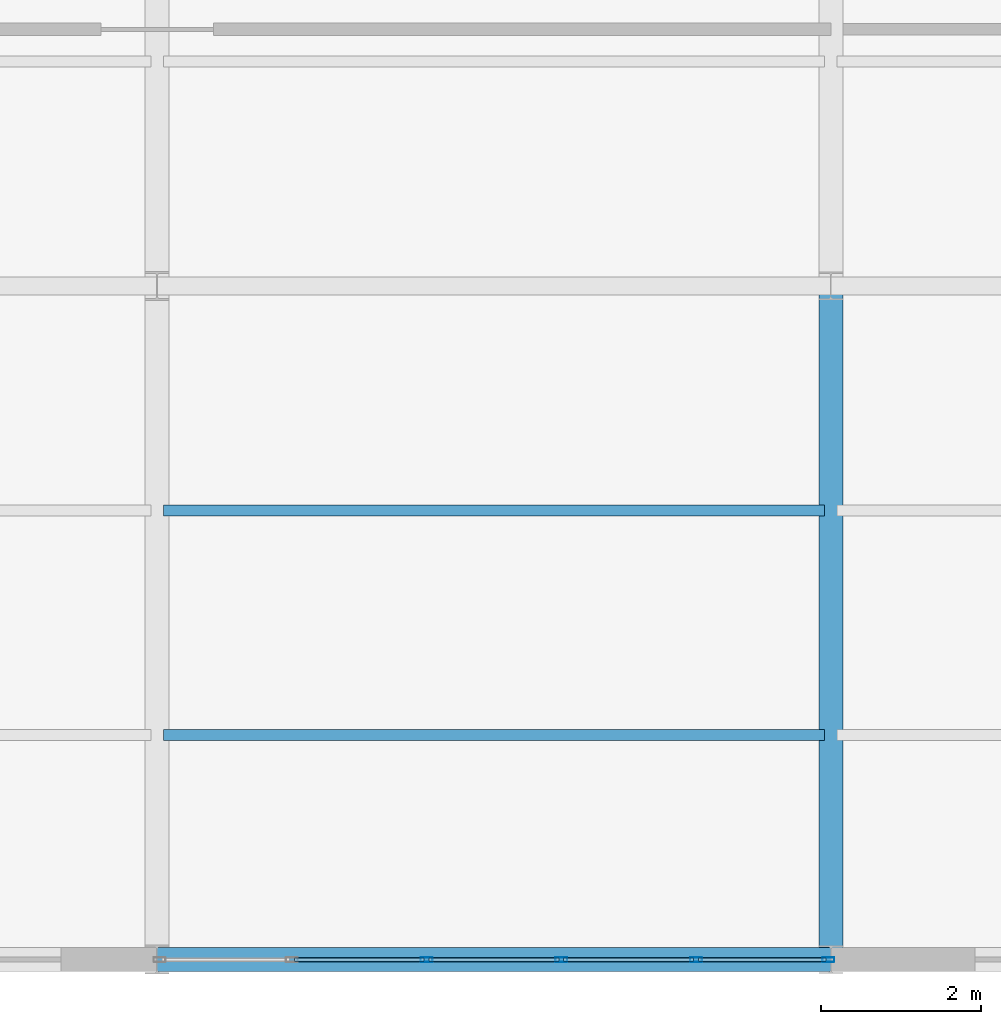
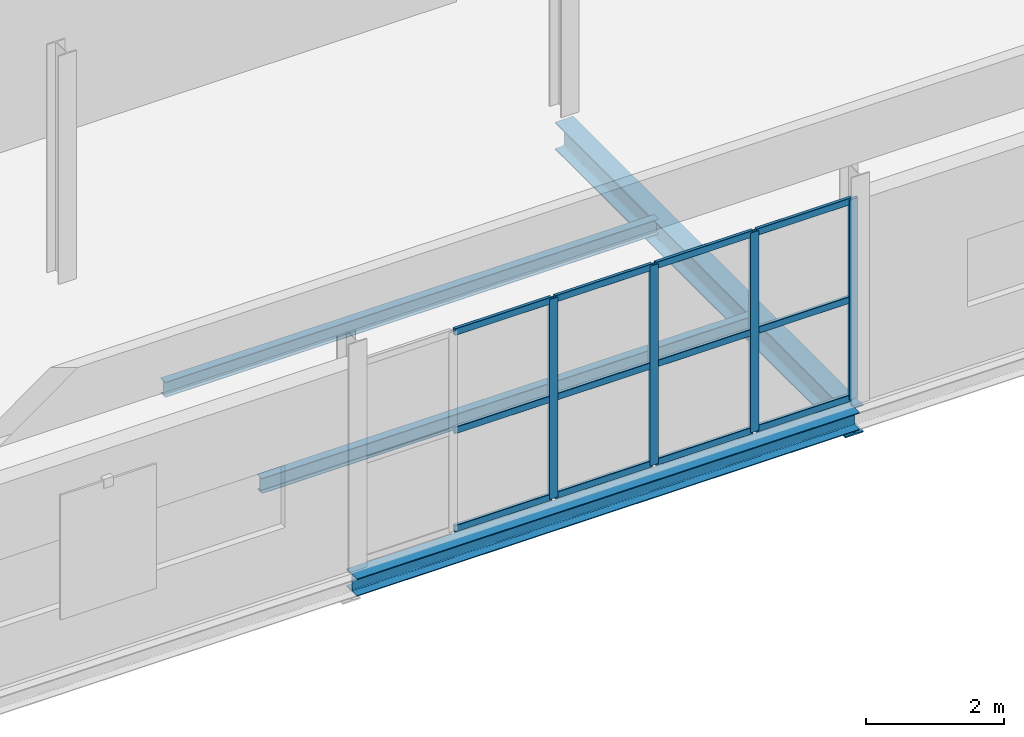
# One storey, part 86 of 184: 16 members, 4 beams, 1 element without a shape of its own.
"""IFC4 building model written with IfcOpenShell, lengths in metres."""

from ifc_helpers import new_model, si_unit, direction, frame, origin, origin_2d, place, context, subcontext, project, spatial, hollow_rectangle, i_section, extrude, material, layer, layer_set, material_profile, profile_set, type_object, element, aggregate, save


model = new_model("IFC4")

# Units and contexts
model_context = context("Model", 3, precision=1e-05, world=origin(), true_north=direction((0.0, 1.0)))
body_context = subcontext(model_context, "Body", "Model", "MODEL_VIEW")
ifc_project = project(units=[si_unit("LENGTHUNIT", "METRE"), si_unit("AREAUNIT", "SQUARE_METRE"), si_unit("VOLUMEUNIT", "CUBIC_METRE"), si_unit("PLANEANGLEUNIT", "RADIAN"), si_unit("MASSUNIT", "GRAM", prefix="KILO")], contexts=[model_context])

# Site, building, storey
site_placement = place(None, origin())
site = spatial("IfcSite", under=ifc_project, at=site_placement, CompositionType="ELEMENT")
building_placement = place(site_placement, origin())
building = spatial("IfcBuilding", under=site, at=building_placement, Name="Qalvenar Corner Mobility Hub", CompositionType="ELEMENT")
storey_placement = place(building_placement, frame((0.0, 0.0, 9.0)))
storey = spatial("IfcBuildingStorey", under=building, at=storey_placement, Name="L02", CompositionType="ELEMENT", Elevation=9.0)

# Beams
ifc_material_1 = material(Name="Steel S355", Category="steel")
ifc_material_profile_1 = material_profile(ifc_material_1, i_section(OverallWidth=0.300048828125, OverallDepth=0.489990234375, WebThickness=0.011962890625, FlangeThickness=0.02294921875, FilletRadius=0.027099609375, at=origin_2d()), Name="HEA500")
ifc_profile_set_1 = profile_set([ifc_material_profile_1], Name="Steel S355")
beam_type_1 = type_object("IfcBeamType", Name="BM-HEA500", PredefinedType="BEAM", material=ifc_profile_set_1)
beam_1_placement = place(storey_placement, frame((126.0, 0.0, -0.425048828125), z_axis=(0.0, 1.0, 0.0), x_axis=(-1.0, 0.0, 0.0)))
element("IfcBeam", 1, at=beam_1_placement, inside=storey, type_object=beam_type_1, Name="Primary Steel Girder GY-1721", PredefinedType="BEAM", context=body_context, shape_type="SweptSolid", body=[
    extrude(i_section(OverallWidth=0.300048828125, OverallDepth=0.489990234375, WebThickness=0.011962890625, FlangeThickness=0.02294921875, FilletRadius=0.027099609375, at=origin_2d()), origin(), (0.0, 0.0, 1.0), 8.39990234375),
])
ifc_material_profile_2 = material_profile(ifc_material_1, i_section(OverallWidth=0.135009765625, OverallDepth=0.27001953125, WebThickness=0.006591796875, FlangeThickness=0.01025390625, FilletRadius=0.014892578125, at=origin_2d()), Name="IPE270")
ifc_profile_set_2 = profile_set([ifc_material_profile_2], Name="Steel S355")
beam_type_2 = type_object("IfcBeamType", Name="BM-JST270", PredefinedType="JOIST", material=ifc_profile_set_2)
for number, where, z_axis, x_axis, name in (
    (2, (117.677978515625, 2.800048828125, -0.31494140625), (1.0, 0.0, 0.0), (0.0, 1.0, 0.0), "Composite Floor Joist J-1761"),
    (3, (117.677978515625, 5.60009765625, -0.31494140625), (1.0, 0.0, 0.0), (0.0, 1.0, 0.0), "Composite Floor Joist J-1762"),
):
    element("IfcBeam", number, at=place(storey_placement, frame(where, z_axis=z_axis, x_axis=x_axis)), inside=storey, type_object=beam_type_2, Name=name, PredefinedType="JOIST", context=body_context, shape_type="SweptSolid", body=[
        extrude(i_section(OverallWidth=0.135009765625, OverallDepth=0.27001953125, WebThickness=0.006591796875, FlangeThickness=0.01025390625, FilletRadius=0.014892578125, at=origin_2d()), origin(), (0.0, 0.0, 1.0), 8.244140625),
    ])
ifc_material_profile_3 = material_profile(ifc_material_1, i_section(OverallWidth=0.300048828125, OverallDepth=0.31005859375, WebThickness=0.009033203125, FlangeThickness=0.015380859375, FilletRadius=0.027099609375, at=origin_2d()), Name="HEA320")
ifc_profile_set_3 = profile_set([ifc_material_profile_3], Name="Steel S355")
beam_type_3 = type_object("IfcBeamType", Name="BM-SPN320", PredefinedType="SPANDREL", material=ifc_profile_set_3)
beam_2_placement = place(storey_placement, frame((117.60009765625, 0.0, -0.3349609375), z_axis=(1.0, 0.0, 0.0), x_axis=(0.0, 1.0, 0.0)))
element("IfcBeam", 4, at=beam_2_placement, inside=storey, type_object=beam_type_3, Name="Primary Steel Girder GX-1670", PredefinedType="SPANDREL", context=body_context, shape_type="SweptSolid", body=[
    extrude(i_section(OverallWidth=0.300048828125, OverallDepth=0.31005859375, WebThickness=0.009033203125, FlangeThickness=0.015380859375, FilletRadius=0.027099609375, at=origin_2d()), origin(), (0.0, 0.0, 1.0), 8.39990234375),
])

# Curtain wall, members
ifc_material_2 = material(Name="Anodised Aluminium and Low-E Glazing", Category="aluminium")
ifc_layer = layer(ifc_material_2, 0.14990234375)
ifc_layer_set = layer_set([ifc_layer], Name="Anodised Aluminium and Low-E Glazing")
curtain_wall_type = type_object("IfcCurtainWallType", Name="CW-WKS-84X44", PredefinedType="NOTDEFINED", material=ifc_layer_set)
curtain_wall_placement = place(storey_placement, origin())
curtain_wall = element("IfcCurtainWall", 5, at=curtain_wall_placement, inside=storey, type_object=curtain_wall_type, Name="Glazed Curtain Wall CW-V6-L02-S1", PredefinedType="NOTDEFINED")
ifc_material_3 = material(Name="Anodised Aluminium 6063-T6", Category="aluminium")
ifc_material_profile_4 = material_profile(ifc_material_3, hollow_rectangle(XDim=0.06005859375, YDim=0.14990234375, WallThickness=0.00390625, InnerFilletRadius=0.00390625, OuterFilletRadius=0.008056640625, at=origin_2d()), Name="RHS150x60x4")
ifc_profile_set_4 = profile_set([ifc_material_profile_4], Name="Anodised Aluminium 6063-T6")
member_type_1 = type_object("IfcMemberType", Name="CW-MUL150", PredefinedType="MULLION", material=ifc_profile_set_4)
member_1_placement = place(storey_placement, frame((120.9599609375, 0.0, 0.0), z_axis=(0.0, 0.0, 1.0), x_axis=(0.0, 1.0, 0.0)))
member_1 = element("IfcMember", 6, at=member_1_placement, type_object=member_type_1, Name="CW-09 mullion 3", PredefinedType="MULLION", context=body_context, shape_type="SweptSolid", body=[
    extrude(hollow_rectangle(XDim=0.06005859375, YDim=0.14990234375, WallThickness=0.00390625, InnerFilletRadius=0.00390625, OuterFilletRadius=0.008056640625, at=origin_2d()), origin(), (0.0, 0.0, 1.0), 3.530029296875),
])
member_2_placement = place(storey_placement, frame((122.639892578125, 0.0, 0.0), z_axis=(0.0, 0.0, 1.0), x_axis=(0.0, 1.0, 0.0)))
member_2 = element("IfcMember", 7, at=member_2_placement, type_object=member_type_1, Name="CW-09 mullion 4", PredefinedType="MULLION", context=body_context, shape_type="SweptSolid", body=[
    extrude(hollow_rectangle(XDim=0.06005859375, YDim=0.14990234375, WallThickness=0.00390625, InnerFilletRadius=0.00390625, OuterFilletRadius=0.008056640625, at=origin_2d()), origin(), (0.0, 0.0, 1.0), 3.530029296875),
])
member_3_placement = place(storey_placement, frame((124.320068359375, 0.0, 0.0), z_axis=(0.0, 0.0, 1.0), x_axis=(0.0, 1.0, 0.0)))
member_3 = element("IfcMember", 8, at=member_3_placement, type_object=member_type_1, Name="CW-09 mullion 5", PredefinedType="MULLION", context=body_context, shape_type="SweptSolid", body=[
    extrude(hollow_rectangle(XDim=0.06005859375, YDim=0.14990234375, WallThickness=0.00390625, InnerFilletRadius=0.00390625, OuterFilletRadius=0.008056640625, at=origin_2d()), origin(), (0.0, 0.0, 1.0), 3.530029296875),
])
member_4_placement = place(storey_placement, frame((125.969970703125, 0.0, 0.0), z_axis=(0.0, 0.0, 1.0), x_axis=(0.0, 1.0, 0.0)))
member_4 = element("IfcMember", 9, at=member_4_placement, type_object=member_type_1, Name="CW-09 mullion 6", PredefinedType="MULLION", context=body_context, shape_type="SweptSolid", body=[
    extrude(hollow_rectangle(XDim=0.06005859375, YDim=0.14990234375, WallThickness=0.00390625, InnerFilletRadius=0.00390625, OuterFilletRadius=0.008056640625, at=origin_2d()), origin(), (0.0, 0.0, 1.0), 3.530029296875),
])
ifc_material_profile_5 = material_profile(ifc_material_3, hollow_rectangle(XDim=0.054931640625, YDim=0.1201171875, WallThickness=0.00341796875, InnerFilletRadius=0.00341796875, OuterFilletRadius=0.007080078125, at=origin_2d()), Name="RHS120x55x3.5")
ifc_profile_set_5 = profile_set([ifc_material_profile_5], Name="Anodised Aluminium 6063-T6")
member_type_2 = type_object("IfcMemberType", Name="CW-TRN120", PredefinedType="USERDEFINED", material=ifc_profile_set_5)
member_5_placement = place(storey_placement, frame((119.31005859375, 0.0, 0.027587890625), z_axis=(1.0, 0.0, 0.0), x_axis=(0.0, 1.0, 0.0)))
member_5 = element("IfcMember", 10, at=member_5_placement, type_object=member_type_2, Name="CW-09 transom 2.1", ObjectType="TRANSOM", PredefinedType="USERDEFINED", context=body_context, shape_type="SweptSolid", body=[
    extrude(hollow_rectangle(XDim=0.054931640625, YDim=0.1201171875, WallThickness=0.00341796875, InnerFilletRadius=0.00341796875, OuterFilletRadius=0.007080078125, at=origin_2d()), origin(), (0.0, 0.0, 1.0), 1.619873046875),
])
member_6_placement = place(storey_placement, frame((119.31005859375, 0.0, 1.764892578125), z_axis=(1.0, 0.0, 0.0), x_axis=(0.0, 1.0, 0.0)))
member_6 = element("IfcMember", 11, at=member_6_placement, type_object=member_type_2, Name="CW-09 transom 2.2", ObjectType="TRANSOM", PredefinedType="USERDEFINED", context=body_context, shape_type="SweptSolid", body=[
    extrude(hollow_rectangle(XDim=0.054931640625, YDim=0.1201171875, WallThickness=0.00341796875, InnerFilletRadius=0.00341796875, OuterFilletRadius=0.007080078125, at=origin_2d()), origin(), (0.0, 0.0, 1.0), 1.619873046875),
])
member_7_placement = place(storey_placement, frame((119.31005859375, 0.0, 3.50244140625), z_axis=(1.0, 0.0, 0.0), x_axis=(0.0, 1.0, 0.0)))
member_7 = element("IfcMember", 12, at=member_7_placement, type_object=member_type_2, Name="CW-09 transom 2.3", ObjectType="TRANSOM", PredefinedType="USERDEFINED", context=body_context, shape_type="SweptSolid", body=[
    extrude(hollow_rectangle(XDim=0.054931640625, YDim=0.1201171875, WallThickness=0.00341796875, InnerFilletRadius=0.00341796875, OuterFilletRadius=0.007080078125, at=origin_2d()), origin(), (0.0, 0.0, 1.0), 1.619873046875),
])
member_8_placement = place(storey_placement, frame((120.989990234375, 0.0, 0.027587890625), z_axis=(1.0, 0.0, 0.0), x_axis=(0.0, 1.0, 0.0)))
member_8 = element("IfcMember", 13, at=member_8_placement, type_object=member_type_2, Name="CW-09 transom 3.1", ObjectType="TRANSOM", PredefinedType="USERDEFINED", context=body_context, shape_type="SweptSolid", body=[
    extrude(hollow_rectangle(XDim=0.054931640625, YDim=0.1201171875, WallThickness=0.00341796875, InnerFilletRadius=0.00341796875, OuterFilletRadius=0.007080078125, at=origin_2d()), origin(), (0.0, 0.0, 1.0), 1.6201171875),
])
member_9_placement = place(storey_placement, frame((120.989990234375, 0.0, 1.764892578125), z_axis=(1.0, 0.0, 0.0), x_axis=(0.0, 1.0, 0.0)))
member_9 = element("IfcMember", 14, at=member_9_placement, type_object=member_type_2, Name="CW-09 transom 3.2", ObjectType="TRANSOM", PredefinedType="USERDEFINED", context=body_context, shape_type="SweptSolid", body=[
    extrude(hollow_rectangle(XDim=0.054931640625, YDim=0.1201171875, WallThickness=0.00341796875, InnerFilletRadius=0.00341796875, OuterFilletRadius=0.007080078125, at=origin_2d()), origin(), (0.0, 0.0, 1.0), 1.6201171875),
])
member_10_placement = place(storey_placement, frame((120.989990234375, 0.0, 3.50244140625), z_axis=(1.0, 0.0, 0.0), x_axis=(0.0, 1.0, 0.0)))
member_10 = element("IfcMember", 15, at=member_10_placement, type_object=member_type_2, Name="CW-09 transom 3.3", ObjectType="TRANSOM", PredefinedType="USERDEFINED", context=body_context, shape_type="SweptSolid", body=[
    extrude(hollow_rectangle(XDim=0.054931640625, YDim=0.1201171875, WallThickness=0.00341796875, InnerFilletRadius=0.00341796875, OuterFilletRadius=0.007080078125, at=origin_2d()), origin(), (0.0, 0.0, 1.0), 1.6201171875),
])
member_11_placement = place(storey_placement, frame((122.669921875, 0.0, 0.027587890625), z_axis=(1.0, 0.0, 0.0), x_axis=(0.0, 1.0, 0.0)))
member_11 = element("IfcMember", 16, at=member_11_placement, type_object=member_type_2, Name="CW-09 transom 4.1", ObjectType="TRANSOM", PredefinedType="USERDEFINED", context=body_context, shape_type="SweptSolid", body=[
    extrude(hollow_rectangle(XDim=0.054931640625, YDim=0.1201171875, WallThickness=0.00341796875, InnerFilletRadius=0.00341796875, OuterFilletRadius=0.007080078125, at=origin_2d()), origin(), (0.0, 0.0, 1.0), 1.6201171875),
])
member_12_placement = place(storey_placement, frame((122.669921875, 0.0, 1.764892578125), z_axis=(1.0, 0.0, 0.0), x_axis=(0.0, 1.0, 0.0)))
member_12 = element("IfcMember", 17, at=member_12_placement, type_object=member_type_2, Name="CW-09 transom 4.2", ObjectType="TRANSOM", PredefinedType="USERDEFINED", context=body_context, shape_type="SweptSolid", body=[
    extrude(hollow_rectangle(XDim=0.054931640625, YDim=0.1201171875, WallThickness=0.00341796875, InnerFilletRadius=0.00341796875, OuterFilletRadius=0.007080078125, at=origin_2d()), origin(), (0.0, 0.0, 1.0), 1.6201171875),
])
member_13_placement = place(storey_placement, frame((122.669921875, 0.0, 3.50244140625), z_axis=(1.0, 0.0, 0.0), x_axis=(0.0, 1.0, 0.0)))
member_13 = element("IfcMember", 18, at=member_13_placement, type_object=member_type_2, Name="CW-09 transom 4.3", ObjectType="TRANSOM", PredefinedType="USERDEFINED", context=body_context, shape_type="SweptSolid", body=[
    extrude(hollow_rectangle(XDim=0.054931640625, YDim=0.1201171875, WallThickness=0.00341796875, InnerFilletRadius=0.00341796875, OuterFilletRadius=0.007080078125, at=origin_2d()), origin(), (0.0, 0.0, 1.0), 1.6201171875),
])
member_14_placement = place(storey_placement, frame((124.35009765625, 0.0, 0.027587890625), z_axis=(1.0, 0.0, 0.0), x_axis=(0.0, 1.0, 0.0)))
member_14 = element("IfcMember", 19, at=member_14_placement, type_object=member_type_2, Name="CW-09 transom 5.1", ObjectType="TRANSOM", PredefinedType="USERDEFINED", context=body_context, shape_type="SweptSolid", body=[
    extrude(hollow_rectangle(XDim=0.054931640625, YDim=0.1201171875, WallThickness=0.00341796875, InnerFilletRadius=0.00341796875, OuterFilletRadius=0.007080078125, at=origin_2d()), origin(), (0.0, 0.0, 1.0), 1.58984375),
])
member_15_placement = place(storey_placement, frame((124.35009765625, 0.0, 1.764892578125), z_axis=(1.0, 0.0, 0.0), x_axis=(0.0, 1.0, 0.0)))
member_15 = element("IfcMember", 20, at=member_15_placement, type_object=member_type_2, Name="CW-09 transom 5.2", ObjectType="TRANSOM", PredefinedType="USERDEFINED", context=body_context, shape_type="SweptSolid", body=[
    extrude(hollow_rectangle(XDim=0.054931640625, YDim=0.1201171875, WallThickness=0.00341796875, InnerFilletRadius=0.00341796875, OuterFilletRadius=0.007080078125, at=origin_2d()), origin(), (0.0, 0.0, 1.0), 1.58984375),
])
member_16_placement = place(storey_placement, frame((124.35009765625, 0.0, 3.50244140625), z_axis=(1.0, 0.0, 0.0), x_axis=(0.0, 1.0, 0.0)))
member_16 = element("IfcMember", 21, at=member_16_placement, type_object=member_type_2, Name="CW-09 transom 5.3", ObjectType="TRANSOM", PredefinedType="USERDEFINED", context=body_context, shape_type="SweptSolid", body=[
    extrude(hollow_rectangle(XDim=0.054931640625, YDim=0.1201171875, WallThickness=0.00341796875, InnerFilletRadius=0.00341796875, OuterFilletRadius=0.007080078125, at=origin_2d()), origin(), (0.0, 0.0, 1.0), 1.58984375),
])
aggregate(curtain_wall, [member_1, member_2, member_3, member_4, member_5, member_6, member_7, member_8, member_9, member_10, member_11, member_12, member_13, member_14, member_15, member_16])

save(model, "model.ifc")
